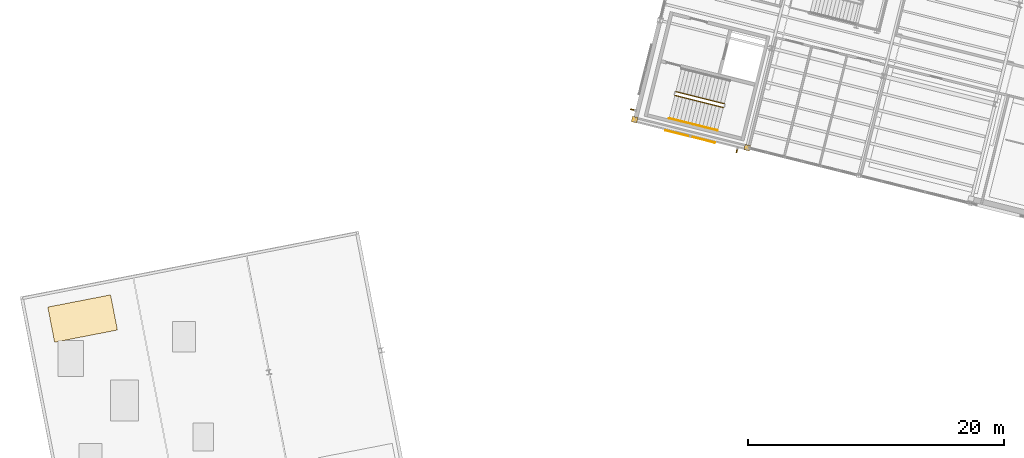
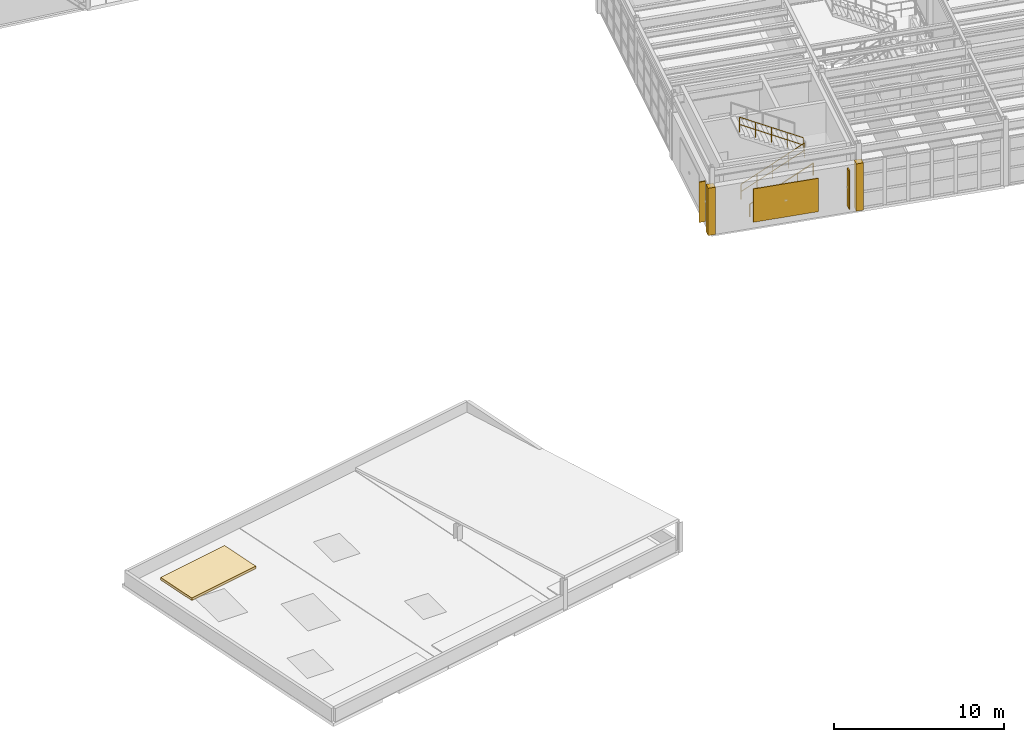
# One storey, part 54 of 59: 4 coverings, 3 railings, 2 shading devices.
"""IFC4 building model written with IfcOpenShell, lengths in metres."""

from ifc_helpers import new_model, si_unit, direction, frame, origin, origin_2d, place, context, subcontext, project, spatial, polyline, rectangle, circle, outline, extrude, material, layer, layer_set, type_object, element, save


model = new_model("IFC4")

# Units and contexts
model_context = context("Model", 3, precision=1e-05, world=origin(), true_north=direction((0.0, 1.0)))
body_context = subcontext(model_context, "Body", "Model", "MODEL_VIEW")
ifc_project = project(units=[si_unit("LENGTHUNIT", "METRE"), si_unit("AREAUNIT", "SQUARE_METRE"), si_unit("VOLUMEUNIT", "CUBIC_METRE"), si_unit("PLANEANGLEUNIT", "RADIAN"), si_unit("MASSUNIT", "GRAM", prefix="KILO")], contexts=[model_context])

# Site, building, storey
site_placement = place(None, origin())
site = spatial("IfcSite", under=ifc_project, at=site_placement, CompositionType="ELEMENT")
building_placement = place(site_placement, origin())
building = spatial("IfcBuilding", under=site, at=building_placement, Name="Vireo Bluff Cable Station", CompositionType="ELEMENT")
storey_placement = place(building_placement, frame((0.0, 0.0, 14.39990234375)))
storey = spatial("IfcBuildingStorey", under=building, at=storey_placement, Name="L03", CompositionType="ELEMENT", Elevation=14.39990234375)

# Coverings
ifc_material_1 = material(Name="Standing-Seam Titanium-Zinc Cladding")
ifc_layer_1 = layer(ifc_material_1, 0.050048828125, Name="Standing-Seam Titanium-Zinc Cladding")
ifc_layer_set_1 = layer_set([ifc_layer_1], Name="Standing-Seam Titanium-Zinc Cladding")
covering_type_1 = type_object("IfcCoveringType", Name="CLADDING-ZINC-50", PredefinedType="CLADDING", material=ifc_layer_set_1)
covering_1_placement = place(storey_placement, frame((58.296630859375, 36.6865234375, 0.4501953125), z_axis=(0.0, 0.0, 1.0), x_axis=(-0.970295737862, 0.24192184913, 0.0)))
element("IfcCovering", 1, at=covering_1_placement, inside=storey, type_object=covering_type_1, Name="V1 L03 ribbed zinc cladding panel 7", PredefinedType="CLADDING", context=body_context, shape_type="SweptSolid", body=[
    extrude(rectangle(XDim=4.0, YDim=0.050048828125, at=origin_2d()), origin(), (0.0, 0.0, 1.0), 2.39990234375),
])
ifc_material_2 = material(Name="Precast concrete f'c 45 MPa", Category="concrete")
ifc_layer_2 = layer(ifc_material_2, 0.0400390625, Name="Precast concrete f'c 45 MPa")
ifc_layer_set_2 = layer_set([ifc_layer_2], Name="Precast concrete f'c 45 MPa")
covering_type_2 = type_object("IfcCoveringType", Name="COL-CLOSURE-WRAP", PredefinedType="CLADDING", material=ifc_layer_set_2)
for number, where, z_axis, x_axis, name in (
    (2, (62.75634765625, 35.81689453125, 0.000244140625), (0.0, 0.0, 1.0), (0.970295726276, -0.2419218956, 0.0), "V1 L03 column pocket closure"),
    (3, (53.950439453125, 38.012451171875, 0.000244140625), (0.0, 0.0, 1.0), (0.970295726276, -0.2419218956, 0.0), "V1 L03 column pocket closure"),
):
    element("IfcCovering", number, at=place(storey_placement, frame(where, z_axis=z_axis, x_axis=x_axis)), inside=storey, type_object=covering_type_2, Name=name, PredefinedType="CLADDING", context=body_context, shape_type="SweptSolid", body=[
        extrude(rectangle(XDim=0.43994140625, YDim=0.43994140625, at=origin_2d()), origin(), (0.0, 0.0, 1.0), 3.39990234375),
    ])
ifc_material_3 = material(Name="Vegetated Green Roof Assembly")
ifc_layer_3 = layer(ifc_material_3, 0.179931640625, Name="Vegetated Green Roof Assembly")
ifc_layer_set_3 = layer_set([ifc_layer_3], Name="Vegetated Green Roof Assembly")
covering_type_3 = type_object("IfcCoveringType", Name="ROOFING-GREEN-180", PredefinedType="ROOFING", material=ifc_layer_set_3)
covering_2_placement = place(storey_placement, origin())
element("IfcCovering", 4, at=covering_2_placement, inside=storey, type_object=covering_type_3, Name="V5 L03 vegetated green roof bed 5", PredefinedType="ROOFING", context=body_context, shape_type="SweptSolid", body=[
    extrude(outline(polyline([(8.60107421875, 20.60595703125), (13.50927734375, 21.56005859375), (12.97509765625, 24.30859375), (8.06689453125, 23.3544921875), (8.60107421875, 20.60595703125)])), origin(), (0.0, 0.0, 1.0), 0.18017578125),
])

# Shading devices
ifc_material_4 = material(Name="Extruded Terracotta Solar Fin", Category="masonry")
shading_device_type_1 = type_object("IfcShadingDeviceType", Name="SOLARFIN-360X2750", PredefinedType="SHUTTER", material=ifc_material_4)
shading_device_1_placement = place(storey_placement, frame((61.953857421875, 35.614990234375, 0.47509765625), z_axis=(0.0, 0.0, 1.0), x_axis=(-0.970295737862, 0.24192184913, 0.0)))
element("IfcShadingDevice", 5, at=shading_device_1_placement, inside=storey, type_object=shading_device_type_1, Name="V1 L03 solar brise-soleil fin 7", PredefinedType="SHUTTER", context=body_context, shape_type="SweptSolid", body=[
    extrude(rectangle(XDim=0.080078125, YDim=0.360107421875, at=origin_2d()), origin(), (0.0, 0.0, 1.0), 2.75),
])
shading_device_type_2 = type_object("IfcShadingDeviceType", Name="SOLARFIN-400X2900", PredefinedType="SHUTTER", material=ifc_material_4)
shading_device_2_placement = place(storey_placement, frame((53.81689453125, 38.7744140625, 0.400146484375), z_axis=(0.0, 0.0, 1.0), x_axis=(0.241921816345, 0.970295746037, 0.0)))
element("IfcShadingDevice", 6, at=shading_device_2_placement, inside=storey, type_object=shading_device_type_2, Name="V1 L03 solar brise-soleil fin 8", PredefinedType="SHUTTER", context=body_context, shape_type="SweptSolid", body=[
    extrude(rectangle(XDim=0.080078125, YDim=0.39990234375, at=origin_2d()), origin(), (0.0, 0.0, 1.0), 2.89990234375),
])

# Railings
ifc_material_5 = material(Name="Stainless Steel 316", Category="steel")
railing_type_1 = type_object("IfcRailingType", Name="STAIR-GUARD-1100", PredefinedType="GUARDRAIL", material=ifc_material_5)
railing_1_placement = place(storey_placement, frame((57.103271484375, 39.90576171875, 0.171630859375)))
element("IfcRailing", 7, at=railing_1_placement, inside=storey, type_object=railing_type_1, Name="L03 ST-02 stair guard 1", PredefinedType="GUARDRAIL", context=body_context, shape_type="SweptSolid", body=[
    extrude(circle(Radius=0.02392578125, at=origin_2d()), frame((0.0, 0.0, 1.076171875), z_axis=(0.842464863979, -0.210018337704, 0.496130276026), x_axis=(0.241887473922, 0.970304307916, 0.0)), (0.0, 0.0, 1.0), 4.49169921875),
    extrude(circle(Radius=0.02392578125, at=origin_2d()), frame((0.0, 0.0, 0.550048828125), z_axis=(0.842464863979, -0.210018337704, 0.496130276026), x_axis=(0.241887473922, 0.970304307916, 0.0)), (0.0, 0.0, 1.0), 4.49169921875),
    extrude(circle(Radius=0.02099609375, at=origin_2d()), origin(), (0.0, 0.0, 1.0), 1.052001953125),
    extrude(circle(Radius=0.02099609375, at=origin_2d()), frame((0.946044921875, -0.23583984375, 0.55712890625)), (0.0, 0.0, 1.0), 1.052001953125),
    extrude(circle(Radius=0.02099609375, at=origin_2d()), frame((1.89208984375, -0.4716796875, 1.1142578125)), (0.0, 0.0, 1.0), 1.052001953125),
    extrude(circle(Radius=0.02099609375, at=origin_2d()), frame((2.838134765625, -0.70751953125, 1.67138671875)), (0.0, 0.0, 1.0), 1.052001953125),
    extrude(circle(Radius=0.02099609375, at=origin_2d()), frame((3.7841796875, -0.943359375, 2.228515625)), (0.0, 0.0, 1.0), 1.052001953125),
])
railing_2_placement = place(storey_placement, frame((60.9599609375, 39.25341796875, 2.571533203125)))
element("IfcRailing", 8, at=railing_2_placement, inside=storey, type_object=railing_type_1, Name="L03 ST-02 stair guard 3", PredefinedType="GUARDRAIL", context=body_context, shape_type="SweptSolid", body=[
    extrude(circle(Radius=0.02392578125, at=origin_2d()), frame((0.0, 0.0, 1.076171875), z_axis=(-0.842455246132, 0.210070292019, 0.496124612044), x_axis=(-0.241946410147, -0.970289613784, 0.0)), (0.0, 0.0, 1.0), 4.491943359375),
    extrude(circle(Radius=0.02392578125, at=origin_2d()), frame((0.0, 0.0, 0.550048828125), z_axis=(-0.842455246132, 0.210070292019, 0.496124612044), x_axis=(-0.241946410147, -0.970289613784, 0.0)), (0.0, 0.0, 1.0), 4.491943359375),
    extrude(circle(Radius=0.02099609375, at=origin_2d()), origin(), (0.0, 0.0, 1.0), 1.052001953125),
    extrude(circle(Radius=0.02099609375, at=origin_2d()), frame((-0.946044921875, 0.23583984375, 0.55712890625)), (0.0, 0.0, 1.0), 1.052001953125),
    extrude(circle(Radius=0.02099609375, at=origin_2d()), frame((-1.89208984375, 0.4716796875, 1.1142578125)), (0.0, 0.0, 1.0), 1.052001953125),
    extrude(circle(Radius=0.02099609375, at=origin_2d()), frame((-2.838134765625, 0.707763671875, 1.67138671875)), (0.0, 0.0, 1.0), 1.052001953125),
    extrude(circle(Radius=0.02099609375, at=origin_2d()), frame((-3.7841796875, 0.943603515625, 2.228515625)), (0.0, 0.0, 1.0), 1.052001953125),
])
railing_type_2 = type_object("IfcRailingType", Name="STAIR-HANDRAIL-900", PredefinedType="HANDRAIL", material=ifc_material_5)
railing_3_placement = place(storey_placement, frame((56.65576171875, 38.11083984375, 0.171630859375)))
element("IfcRailing", 9, at=railing_3_placement, inside=storey, type_object=railing_type_2, Name="L03 ST-02 stair handrail 1", PredefinedType="HANDRAIL", context=body_context, shape_type="SweptSolid", body=[
    extrude(circle(Radius=0.02392578125, at=origin_2d()), frame((0.0, 0.0, 0.8759765625), z_axis=(0.842455246132, -0.210070292019, 0.496124612044), x_axis=(0.241946410147, 0.970289613784, 0.0)), (0.0, 0.0, 1.0), 4.491943359375),
    extrude(circle(Radius=0.02099609375, at=origin_2d()), origin(), (0.0, 0.0, 1.0), 0.851806640625),
    extrude(circle(Radius=0.02099609375, at=origin_2d()), frame((0.946044921875, -0.23583984375, 0.55712890625)), (0.0, 0.0, 1.0), 0.851806640625),
    extrude(circle(Radius=0.02099609375, at=origin_2d()), frame((1.89208984375, -0.4716796875, 1.1142578125)), (0.0, 0.0, 1.0), 0.851806640625),
    extrude(circle(Radius=0.02099609375, at=origin_2d()), frame((2.838134765625, -0.707763671875, 1.67138671875)), (0.0, 0.0, 1.0), 0.851806640625),
    extrude(circle(Radius=0.02099609375, at=origin_2d()), frame((3.7841796875, -0.943603515625, 2.228515625)), (0.0, 0.0, 1.0), 0.851806640625),
])

save(model, "model.ifc")
